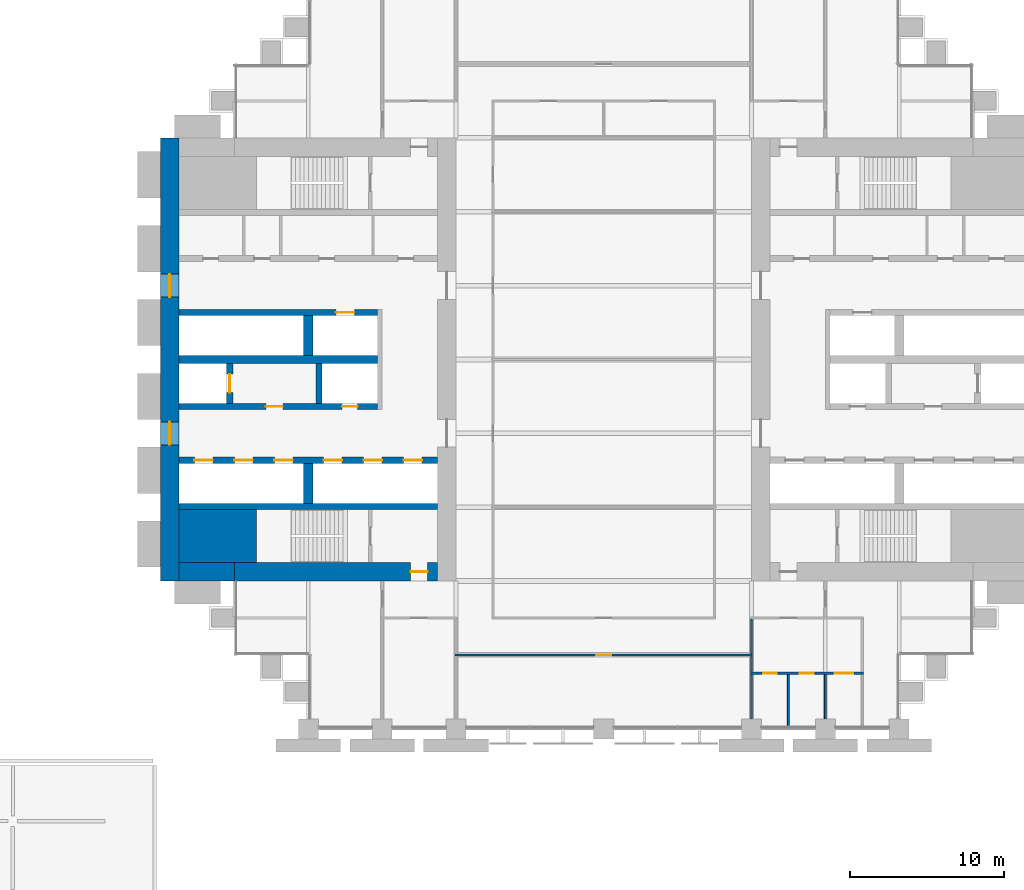
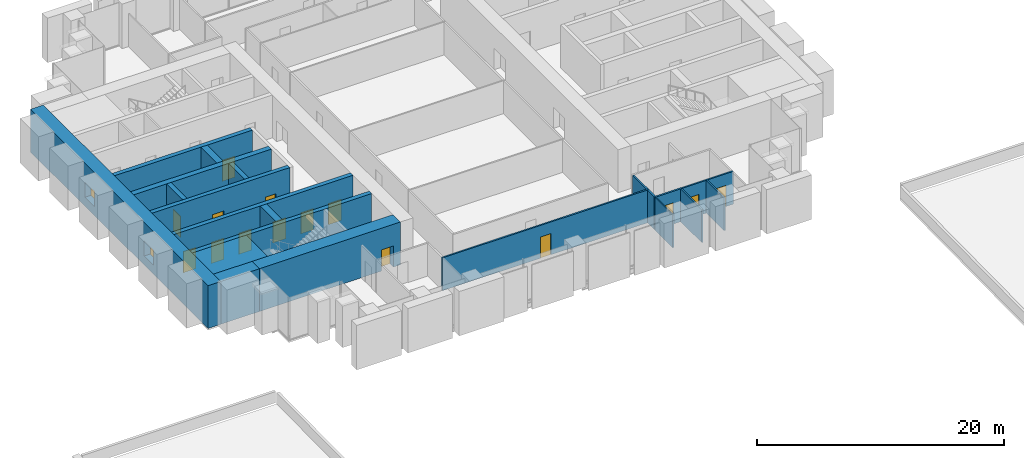
# One storey, part 9 of 14: 20 walls, 15 doors, 2 windows, 17 openings.
"""IFC4 building model written with IfcOpenShell, lengths in metres."""

from ifc_helpers import new_model, si_unit, direction, frame, frame_2d, origin, place, context, subcontext, project, spatial, rectangle, extrude, material, layer, layer_set, type_object, element, fill, save


model = new_model("IFC4")

# Units and contexts
model_context = context("Model", 3, precision=1e-05, world=origin(), true_north=direction((0.0, 1.0)))
body_context = subcontext(model_context, "Body", "Model", "MODEL_VIEW")
ifc_project = project(units=[si_unit("LENGTHUNIT", "METRE"), si_unit("AREAUNIT", "SQUARE_METRE"), si_unit("VOLUMEUNIT", "CUBIC_METRE"), si_unit("PLANEANGLEUNIT", "RADIAN"), si_unit("MASSUNIT", "GRAM", prefix="KILO")], contexts=[model_context])

# Site, building, storey
site_placement = place(None, origin())
site = spatial("IfcSite", under=ifc_project, at=site_placement, CompositionType="ELEMENT")
building_placement = place(site_placement, origin())
building = spatial("IfcBuilding", under=site, at=building_placement, Name="Baori Bourse Tower", CompositionType="ELEMENT")
storey_placement = place(building_placement, frame((0.0, 0.0, 30.199951171875)))
storey = spatial("IfcBuildingStorey", under=building, at=storey_placement, Name="L05", CompositionType="ELEMENT", Elevation=30.199951171875)

# Wall
ifc_material_1 = material(Name="Concrete f'c 70 MPa", Category="concrete")
wall_type_1 = type_object("IfcWallType", Name="Core corner block f'c 70", PredefinedType="SHEAR", material=ifc_material_1)
wall_1_placement = place(storey_placement, frame((1.199951171875, 12.52490234375, 0.0), z_axis=(0.0, 0.0, 1.0), x_axis=(1.0, 0.0, 0.0)))
element("IfcWall", 1, at=wall_1_placement, inside=storey, type_object=wall_type_1, Name="Core wall W05", PredefinedType="SHEAR", context=body_context, shape_type="SweptSolid", body=[
    extrude(rectangle(XDim=5.050048828125, YDim=3.449951171875, at=frame_2d((2.52490234375, 0.0))), origin(), (0.0, 0.0, 1.0), 4.239990234375),
])

# Wall, openings, windows
ifc_material_2 = material(Name="Concrete f'c 70 MPa", Category="concrete")
ifc_layer_1 = layer(ifc_material_2, 1.199951171875)
ifc_layer_set_1 = layer_set([ifc_layer_1], Name="Core wall 1200 f'c 70")
wall_type_2 = type_object("IfcWallType", Name="Core wall 1200 f'c 70", PredefinedType="SHEAR", material=ifc_layer_set_1)
wall_2_placement = place(storey_placement, frame((0.60009765625, 9.60009765625, 0.0), z_axis=(0.0, 0.0, 1.0), x_axis=(0.0, 1.0, 0.0)))
wall_2 = element("IfcWall", 2, at=wall_2_placement, inside=storey, type_object=wall_type_2, Name="Core wall W01", PredefinedType="SHEAR", context=body_context, shape_type="SweptSolid", body=[
    extrude(rectangle(XDim=28.7998046875, YDim=1.199951171875, at=frame_2d((14.39990234375, 0.0))), origin(), (0.0, 0.0, 1.0), 4.239990234375),
])
opening_1_placement = place(wall_2_placement, frame((8.85009765625, 0.0, 0.89990234375)))
opening_1 = element("IfcOpeningElement", 3, at=opening_1_placement, cuts=wall_2, Name="Opening L05-KW101", PredefinedType="OPENING", context=body_context, shape_type="SweptSolid", body=[
    extrude(rectangle(XDim=1.5, YDim=1.5, at=frame_2d((0.75, 0.75))), frame((0.0, 0.60986328125, 0.0), z_axis=(0.0, -1.0, 0.0), x_axis=(1.0, 0.0, 0.0)), (0.0, 0.0, 1.0), 1.219970703125),
])
opening_2_placement = place(wall_2_placement, frame((18.449951171875, 0.0, 0.89990234375)))
opening_2 = element("IfcOpeningElement", 4, at=opening_2_placement, cuts=wall_2, Name="Opening L05-KW102", PredefinedType="OPENING", context=body_context, shape_type="SweptSolid", body=[
    extrude(rectangle(XDim=1.5, YDim=1.5, at=frame_2d((0.75, 0.75))), frame((0.0, 0.60986328125, 0.0), z_axis=(0.0, -1.0, 0.0), x_axis=(1.0, 0.0, 0.0)), (0.0, 0.0, 1.0), 1.219970703125),
])
ifc_material_3 = material(Name="Pale anodised aluminium", Category="aluminium")
window_type = type_object("IfcWindowType", Name="Lobby window 1500 x 1500", PartitioningType="SINGLE_PANEL", PredefinedType="WINDOW", material=ifc_material_3)
window_1_placement = place(opening_1_placement, origin())
window_1 = element("IfcWindow", 5, at=window_1_placement, inside=storey, type_object=window_type, Name="Outer wall window W L05 1", OverallHeight=1.5, OverallWidth=1.5, PartitioningType="SINGLE_PANEL", PredefinedType="WINDOW", context=body_context, shape_type="SweptSolid", body=[
    extrude(rectangle(XDim=1.5, YDim=1.5, at=frame_2d((0.75, 0.75))), frame((0.0, 0.030029296875, 0.0), z_axis=(0.0, -1.0, 0.0), x_axis=(1.0, 0.0, 0.0)), (0.0, 0.0, 1.0), 0.06005859375),
])
fill(opening_1, window_1)
window_2_placement = place(opening_2_placement, origin())
window_2 = element("IfcWindow", 6, at=window_2_placement, inside=storey, type_object=window_type, Name="Outer wall window W L05 2", OverallHeight=1.5, OverallWidth=1.5, PartitioningType="SINGLE_PANEL", PredefinedType="WINDOW", context=body_context, shape_type="SweptSolid", body=[
    extrude(rectangle(XDim=1.5, YDim=1.5, at=frame_2d((0.75, 0.75))), frame((0.0, 0.030029296875, 0.0), z_axis=(0.0, -1.0, 0.0), x_axis=(1.0, 0.0, 0.0)), (0.0, 0.0, 1.0), 0.06005859375),
])
fill(opening_2, window_2)

# Wall
wall_3_placement = place(storey_placement, frame((4.800048828125, 10.199951171875, 0.0), z_axis=(0.0, 0.0, 1.0), x_axis=(-1.0, 0.0, 0.0)))
element("IfcWall", 7, at=wall_3_placement, inside=storey, type_object=wall_type_2, Name="Core wall W02", PredefinedType="SHEAR", context=body_context, shape_type="SweptSolid", body=[
    extrude(rectangle(XDim=3.60009765625, YDim=1.199951171875, at=frame_2d((1.800048828125, 0.0))), origin(), (0.0, 0.0, 1.0), 4.239990234375),
])

# Wall, opening, door
wall_4_placement = place(storey_placement, frame((18.0, 10.199951171875, 0.0), z_axis=(0.0, 0.0, 1.0), x_axis=(-1.0, 0.0, 0.0)))
wall_4 = element("IfcWall", 8, at=wall_4_placement, inside=storey, type_object=wall_type_2, Name="Core wall W03", PredefinedType="SHEAR", context=body_context, shape_type="SweptSolid", body=[
    extrude(rectangle(XDim=13.199951171875, YDim=1.199951171875, at=frame_2d((6.60009765625, 0.0))), origin(), (0.0, 0.0, 1.0), 4.239990234375),
])
opening_3_placement = place(wall_4_placement, frame((0.64990234375, 0.0, 0.0)))
opening_3 = element("IfcOpeningElement", 9, at=opening_3_placement, cuts=wall_4, Name="Opening L05-D102", PredefinedType="OPENING", context=body_context, shape_type="SweptSolid", body=[
    extrude(rectangle(XDim=1.10009765625, YDim=2.10009765625, at=frame_2d((0.550048828125, 1.050048828125))), frame((0.0, 0.60986328125, 0.0), z_axis=(0.0, -1.0, 0.0), x_axis=(1.0, 0.0, 0.0)), (0.0, 0.0, 1.0), 1.219970703125),
])
ifc_material_4 = material(Name="Painted steel door", Category="steel")
door_type_1 = type_object("IfcDoorType", Name="Stair door 1100", OperationType="SINGLE_SWING_LEFT", PredefinedType="DOOR", material=ifc_material_4)
door_1_placement = place(opening_3_placement, origin())
door_1 = element("IfcDoor", 10, at=door_1_placement, inside=storey, type_object=door_type_1, Name="Stair vestibule door A W L05", OperationType="SINGLE_SWING_LEFT", OverallHeight=2.10009765625, OverallWidth=1.10009765625, PredefinedType="DOOR", context=body_context, shape_type="SweptSolid", body=[
    extrude(rectangle(XDim=1.10009765625, YDim=2.10009765625, at=frame_2d((0.550048828125, 1.050048828125))), frame((0.0, 0.02490234375, 0.0), z_axis=(0.0, -1.0, 0.0), x_axis=(1.0, 0.0, 0.0)), (0.0, 0.0, 1.0), 0.050048828125),
])
fill(opening_3, door_1)

# Wall, openings, doors
ifc_material_5 = material(Name="Gypsum board partition")
ifc_layer_2 = layer(ifc_material_5, 0.14990234375)
ifc_layer_set_2 = layer_set([ifc_layer_2], Name="Corridor partition 150")
wall_type_3 = type_object("IfcWallType", Name="Corridor partition 150", PredefinedType="PARTITIONING", material=ifc_layer_set_2)
wall_5_placement = place(storey_placement, frame((38.324951171875, 3.60009765625, 0.0), z_axis=(0.0, 0.0, 1.0), x_axis=(1.0, 0.0, 0.0)))
wall_5 = element("IfcWall", 11, at=wall_5_placement, inside=storey, type_object=wall_type_3, Name="Partition", PredefinedType="PARTITIONING", context=body_context, shape_type="SweptSolid", body=[
    extrude(rectangle(XDim=7.35009765625, YDim=0.14990234375, at=frame_2d((3.675048828125, 0.0))), origin(), (0.0, 0.0, 1.0), 3.24951171875),
])
opening_4_placement = place(wall_5_placement, frame((0.824951171875, 0.0, 0.0)))
opening_4 = element("IfcOpeningElement", 12, at=opening_4_placement, cuts=wall_5, Name="Opening L05-D01", PredefinedType="OPENING", context=body_context, shape_type="SweptSolid", body=[
    extrude(rectangle(XDim=0.89990234375, YDim=2.10009765625, at=frame_2d((0.449951171875, 1.050048828125))), frame((0.0, 0.0849609375, 0.0), z_axis=(0.0, -1.0, 0.0), x_axis=(1.0, 0.0, 0.0)), (0.0, 0.0, 1.0), 0.169921875),
])
opening_5_placement = place(wall_5_placement, frame((3.22509765625, 0.0, 0.0)))
opening_5 = element("IfcOpeningElement", 13, at=opening_5_placement, cuts=wall_5, Name="Opening L05-D02", PredefinedType="OPENING", context=body_context, shape_type="SweptSolid", body=[
    extrude(rectangle(XDim=0.89990234375, YDim=2.10009765625, at=frame_2d((0.449951171875, 1.050048828125))), frame((0.0, 0.0849609375, 0.0), z_axis=(0.0, -1.0, 0.0), x_axis=(1.0, 0.0, 0.0)), (0.0, 0.0, 1.0), 0.169921875),
])
opening_6_placement = place(wall_5_placement, frame((5.47509765625, 0.0, 0.0)))
opening_6 = element("IfcOpeningElement", 14, at=opening_6_placement, cuts=wall_5, Name="Opening L05-D03", PredefinedType="OPENING", context=body_context, shape_type="SweptSolid", body=[
    extrude(rectangle(XDim=1.199951171875, YDim=2.10009765625, at=frame_2d((0.60009765625, 1.050048828125))), frame((0.0, 0.0849609375, 0.0), z_axis=(0.0, -1.0, 0.0), x_axis=(1.0, 0.0, 0.0)), (0.0, 0.0, 1.0), 0.169921875),
])
ifc_material_6 = material(Name="Timber door leaf", Category="wood")
door_type_2 = type_object("IfcDoorType", Name="Door 1200 x 2100", OperationType="SINGLE_SWING_LEFT", PredefinedType="DOOR", material=ifc_material_6)
door_2_placement = place(opening_6_placement, origin())
door_2 = element("IfcDoor", 15, at=door_2_placement, inside=storey, type_object=door_type_2, Name="Door", OperationType="SINGLE_SWING_RIGHT", OverallHeight=2.10009765625, OverallWidth=1.199951171875, PredefinedType="DOOR", context=body_context, shape_type="SweptSolid", body=[
    extrude(rectangle(XDim=1.199951171875, YDim=2.10009765625, at=frame_2d((0.60009765625, 1.050048828125))), frame((0.0, 0.02490234375, 0.0), z_axis=(0.0, -1.0, 0.0), x_axis=(1.0, 0.0, 0.0)), (0.0, 0.0, 1.0), 0.050048828125),
])
fill(opening_6, door_2)
ifc_material_7 = material(Name="Timber door leaf", Category="wood")
door_type_3 = type_object("IfcDoorType", Name="Door 900 x 2100", OperationType="SINGLE_SWING_LEFT", PredefinedType="DOOR", material=ifc_material_7)
door_3_placement = place(opening_4_placement, origin())
door_3 = element("IfcDoor", 16, at=door_3_placement, inside=storey, type_object=door_type_3, Name="Door", OperationType="SINGLE_SWING_LEFT", OverallHeight=2.10009765625, OverallWidth=0.89990234375, PredefinedType="DOOR", context=body_context, shape_type="SweptSolid", body=[
    extrude(rectangle(XDim=0.89990234375, YDim=2.10009765625, at=frame_2d((0.449951171875, 1.050048828125))), frame((0.0, 0.02490234375, 0.0), z_axis=(0.0, -1.0, 0.0), x_axis=(1.0, 0.0, 0.0)), (0.0, 0.0, 1.0), 0.050048828125),
])
fill(opening_4, door_3)
door_4_placement = place(opening_5_placement, origin())
door_4 = element("IfcDoor", 17, at=door_4_placement, inside=storey, type_object=door_type_3, Name="Door", OperationType="SINGLE_SWING_LEFT", OverallHeight=2.10009765625, OverallWidth=0.89990234375, PredefinedType="DOOR", context=body_context, shape_type="SweptSolid", body=[
    extrude(rectangle(XDim=0.89990234375, YDim=2.10009765625, at=frame_2d((0.449951171875, 1.050048828125))), frame((0.0, 0.02490234375, 0.0), z_axis=(0.0, -1.0, 0.0), x_axis=(1.0, 0.0, 0.0)), (0.0, 0.0, 1.0), 0.050048828125),
])
fill(opening_5, door_4)

# Wall, opening, door
wall_6_placement = place(storey_placement, frame((19.125, 4.800048828125, 0.0), z_axis=(0.0, 0.0, 1.0), x_axis=(1.0, 0.0, 0.0)))
wall_6 = element("IfcWall", 18, at=wall_6_placement, inside=storey, type_object=wall_type_3, Name="Partition", PredefinedType="PARTITIONING", context=body_context, shape_type="SweptSolid", body=[
    extrude(rectangle(XDim=19.35009765625, YDim=0.14990234375, at=frame_2d((9.675048828125, 0.0))), origin(), (0.0, 0.0, 1.0), 3.24951171875),
])
opening_7_placement = place(wall_6_placement, frame((9.175048828125, 0.0, 0.0)))
opening_7 = element("IfcOpeningElement", 19, at=opening_7_placement, cuts=wall_6, Name="Opening L05-D04", PredefinedType="OPENING", context=body_context, shape_type="SweptSolid", body=[
    extrude(rectangle(XDim=1.0, YDim=2.10009765625, at=frame_2d((0.5, 1.050048828125))), frame((0.0, 0.0849609375, 0.0), z_axis=(0.0, -1.0, 0.0), x_axis=(1.0, 0.0, 0.0)), (0.0, 0.0, 1.0), 0.169921875),
])
ifc_material_8 = material(Name="Timber door leaf", Category="wood")
door_type_4 = type_object("IfcDoorType", Name="Door 1000 x 2100", OperationType="SINGLE_SWING_LEFT", PredefinedType="DOOR", material=ifc_material_8)
door_5_placement = place(opening_7_placement, origin())
door_5 = element("IfcDoor", 20, at=door_5_placement, inside=storey, type_object=door_type_4, Name="Door", OperationType="SINGLE_SWING_LEFT", OverallHeight=2.10009765625, OverallWidth=1.0, PredefinedType="DOOR", context=body_context, shape_type="SweptSolid", body=[
    extrude(rectangle(XDim=1.0, YDim=2.10009765625, at=frame_2d((0.5, 1.050048828125))), frame((0.0, 0.02490234375, 0.0), z_axis=(0.0, -1.0, 0.0), x_axis=(1.0, 0.0, 0.0)), (0.0, 0.0, 1.0), 0.050048828125),
])
fill(opening_7, door_5)

# Walls
wall_7_placement = place(storey_placement, frame((38.39990234375, 3.675048828125, 0.0), z_axis=(0.0, 0.0, 1.0), x_axis=(0.0, 1.0, 0.0)))
element("IfcWall", 21, at=wall_7_placement, inside=storey, type_object=wall_type_3, Name="Partition", PredefinedType="PARTITIONING", context=body_context, shape_type="SweptSolid", body=[
    extrude(rectangle(XDim=1.050048828125, YDim=0.14990234375, at=frame_2d((0.52490234375, 0.0))), origin(), (0.0, 0.0, 1.0), 3.24951171875),
])
wall_8_placement = place(storey_placement, frame((38.39990234375, 4.875, 0.0), z_axis=(0.0, 0.0, 1.0), x_axis=(0.0, 1.0, 0.0)))
element("IfcWall", 22, at=wall_8_placement, inside=storey, type_object=wall_type_3, Name="Partition", PredefinedType="PARTITIONING", context=body_context, shape_type="SweptSolid", body=[
    extrude(rectangle(XDim=2.25, YDim=0.14990234375, at=frame_2d((1.125, 0.0))), origin(), (0.0, 0.0, 1.0), 3.24951171875),
])
ifc_material_9 = material(Name="Gypsum board partition")
ifc_layer_3 = layer(ifc_material_9, 0.125)
ifc_layer_set_3 = layer_set([ifc_layer_3], Name="Partition 125")
wall_type_4 = type_object("IfcWallType", Name="Partition 125", PredefinedType="PARTITIONING", material=ifc_layer_set_3)
wall_9_placement = place(storey_placement, frame((38.39990234375, 0.64990234375, 0.0), z_axis=(0.0, 0.0, 1.0), x_axis=(0.0, 1.0, 0.0)))
element("IfcWall", 23, at=wall_9_placement, inside=storey, type_object=wall_type_4, Name="Partition", PredefinedType="PARTITIONING", context=body_context, shape_type="SweptSolid", body=[
    extrude(rectangle(XDim=2.875, YDim=0.125, at=frame_2d((1.4375, 0.0))), origin(), (0.0, 0.0, 1.0), 3.24951171875),
])
wall_10_placement = place(storey_placement, frame((40.800048828125, 0.10009765625, 0.0), z_axis=(0.0, 0.0, 1.0), x_axis=(0.0, 1.0, 0.0)))
element("IfcWall", 24, at=wall_10_placement, inside=storey, type_object=wall_type_4, Name="Partition", PredefinedType="PARTITIONING", context=body_context, shape_type="SweptSolid", body=[
    extrude(rectangle(XDim=3.4248046875, YDim=0.125, at=frame_2d((1.71240234375, 0.0))), origin(), (0.0, 0.0, 1.0), 3.24951171875),
])
wall_11_placement = place(storey_placement, frame((43.199951171875, 0.64990234375, 0.0), z_axis=(0.0, 0.0, 1.0), x_axis=(0.0, 1.0, 0.0)))
element("IfcWall", 25, at=wall_11_placement, inside=storey, type_object=wall_type_4, Name="Partition", PredefinedType="PARTITIONING", context=body_context, shape_type="SweptSolid", body=[
    extrude(rectangle(XDim=2.875, YDim=0.125, at=frame_2d((1.4375, 0.0))), origin(), (0.0, 0.0, 1.0), 3.24951171875),
])
ifc_material_10 = material(Name="Concrete f'c 70 MPa", Category="concrete")
ifc_layer_4 = layer(ifc_material_10, 0.39990234375)
ifc_layer_set_4 = layer_set([ifc_layer_4], Name="Shaft wall 400 f'c 70")
wall_type_5 = type_object("IfcWallType", Name="Shaft wall 400 f'c 70", PredefinedType="SHEAR", material=ifc_layer_set_4)
wall_12_placement = place(storey_placement, frame((1.199951171875, 14.449951171875, 0.0), z_axis=(0.0, 0.0, 1.0), x_axis=(1.0, 0.0, 0.0)))
element("IfcWall", 26, at=wall_12_placement, inside=storey, type_object=wall_type_5, Name="Core wall W07", PredefinedType="SHEAR", context=body_context, shape_type="SweptSolid", body=[
    extrude(rectangle(XDim=16.800048828125, YDim=0.39990234375, at=frame_2d((8.39990234375, 0.0))), origin(), (0.0, 0.0, 1.0), 4.239990234375),
])

# Wall, openings, doors
wall_13_placement = place(storey_placement, frame((1.199951171875, 17.449951171875, 0.0), z_axis=(0.0, 0.0, 1.0), x_axis=(1.0, 0.0, 0.0)))
wall_13 = element("IfcWall", 27, at=wall_13_placement, inside=storey, type_object=wall_type_5, Name="Core wall W09", PredefinedType="SHEAR", context=body_context, shape_type="SweptSolid", body=[
    extrude(rectangle(XDim=16.800048828125, YDim=0.39990234375, at=frame_2d((8.39990234375, 0.0))), origin(), (0.0, 0.0, 1.0), 4.239990234375),
])
opening_8_placement = place(wall_13_placement, frame((1.0, 0.0, 0.0)))
opening_8 = element("IfcOpeningElement", 28, at=opening_8_placement, cuts=wall_13, Name="Opening L05-D113", PredefinedType="OPENING", context=body_context, shape_type="SweptSolid", body=[
    extrude(rectangle(XDim=1.199951171875, YDim=2.10009765625, at=frame_2d((0.60009765625, 1.050048828125))), frame((0.0, 0.2099609375, 0.0), z_axis=(0.0, -1.0, 0.0), x_axis=(1.0, 0.0, 0.0)), (0.0, 0.0, 1.0), 0.419921875),
])
opening_9_placement = place(wall_13_placement, frame((3.60009765625, 0.0, 0.0)))
opening_9 = element("IfcOpeningElement", 29, at=opening_9_placement, cuts=wall_13, Name="Opening L05-D114", PredefinedType="OPENING", context=body_context, shape_type="SweptSolid", body=[
    extrude(rectangle(XDim=1.199951171875, YDim=2.10009765625, at=frame_2d((0.60009765625, 1.050048828125))), frame((0.0, 0.2099609375, 0.0), z_axis=(0.0, -1.0, 0.0), x_axis=(1.0, 0.0, 0.0)), (0.0, 0.0, 1.0), 0.419921875),
])
opening_10_placement = place(wall_13_placement, frame((6.199951171875, 0.0, 0.0)))
opening_10 = element("IfcOpeningElement", 30, at=opening_10_placement, cuts=wall_13, Name="Opening L05-D115", PredefinedType="OPENING", context=body_context, shape_type="SweptSolid", body=[
    extrude(rectangle(XDim=1.199951171875, YDim=2.10009765625, at=frame_2d((0.60009765625, 1.050048828125))), frame((0.0, 0.2099609375, 0.0), z_axis=(0.0, -1.0, 0.0), x_axis=(1.0, 0.0, 0.0)), (0.0, 0.0, 1.0), 0.419921875),
])
opening_11_placement = place(wall_13_placement, frame((9.39990234375, 0.0, 0.0)))
opening_11 = element("IfcOpeningElement", 31, at=opening_11_placement, cuts=wall_13, Name="Opening L05-D116", PredefinedType="OPENING", context=body_context, shape_type="SweptSolid", body=[
    extrude(rectangle(XDim=1.199951171875, YDim=2.10009765625, at=frame_2d((0.60009765625, 1.050048828125))), frame((0.0, 0.2099609375, 0.0), z_axis=(0.0, -1.0, 0.0), x_axis=(1.0, 0.0, 0.0)), (0.0, 0.0, 1.0), 0.419921875),
])
opening_12_placement = place(wall_13_placement, frame((12.0, 0.0, 0.0)))
opening_12 = element("IfcOpeningElement", 32, at=opening_12_placement, cuts=wall_13, Name="Opening L05-D117", PredefinedType="OPENING", context=body_context, shape_type="SweptSolid", body=[
    extrude(rectangle(XDim=1.199951171875, YDim=2.10009765625, at=frame_2d((0.60009765625, 1.050048828125))), frame((0.0, 0.2099609375, 0.0), z_axis=(0.0, -1.0, 0.0), x_axis=(1.0, 0.0, 0.0)), (0.0, 0.0, 1.0), 0.419921875),
])
opening_13_placement = place(wall_13_placement, frame((14.60009765625, 0.0, 0.0)))
opening_13 = element("IfcOpeningElement", 33, at=opening_13_placement, cuts=wall_13, Name="Opening L05-D118", PredefinedType="OPENING", context=body_context, shape_type="SweptSolid", body=[
    extrude(rectangle(XDim=1.199951171875, YDim=2.10009765625, at=frame_2d((0.60009765625, 1.050048828125))), frame((0.0, 0.2099609375, 0.0), z_axis=(0.0, -1.0, 0.0), x_axis=(1.0, 0.0, 0.0)), (0.0, 0.0, 1.0), 0.419921875),
])
ifc_material_11 = material(Name="Stainless steel door", Category="steel")
door_type_5 = type_object("IfcDoorType", Name="Lift landing door", OperationType="DOUBLE_DOOR_SLIDING", PredefinedType="DOOR", material=ifc_material_11)
door_6_placement = place(opening_8_placement, origin())
door_6 = element("IfcDoor", 34, at=door_6_placement, inside=storey, type_object=door_type_5, Name="Lift landing door LR1 W L05", OperationType="DOUBLE_DOOR_SLIDING", OverallHeight=2.10009765625, OverallWidth=1.199951171875, PredefinedType="DOOR", context=body_context, shape_type="SweptSolid", body=[
    extrude(rectangle(XDim=1.199951171875, YDim=2.10009765625, at=frame_2d((0.60009765625, 1.050048828125))), frame((0.0, 0.02490234375, 0.0), z_axis=(0.0, -1.0, 0.0), x_axis=(1.0, 0.0, 0.0)), (0.0, 0.0, 1.0), 0.050048828125),
])
fill(opening_8, door_6)
door_7_placement = place(opening_9_placement, origin())
door_7 = element("IfcDoor", 35, at=door_7_placement, inside=storey, type_object=door_type_5, Name="Lift landing door LR2 W L05", OperationType="DOUBLE_DOOR_SLIDING", OverallHeight=2.10009765625, OverallWidth=1.199951171875, PredefinedType="DOOR", context=body_context, shape_type="SweptSolid", body=[
    extrude(rectangle(XDim=1.199951171875, YDim=2.10009765625, at=frame_2d((0.60009765625, 1.050048828125))), frame((0.0, 0.02490234375, 0.0), z_axis=(0.0, -1.0, 0.0), x_axis=(1.0, 0.0, 0.0)), (0.0, 0.0, 1.0), 0.050048828125),
])
fill(opening_9, door_7)
door_8_placement = place(opening_10_placement, origin())
door_8 = element("IfcDoor", 36, at=door_8_placement, inside=storey, type_object=door_type_5, Name="Lift landing door LR3 W L05", OperationType="DOUBLE_DOOR_SLIDING", OverallHeight=2.10009765625, OverallWidth=1.199951171875, PredefinedType="DOOR", context=body_context, shape_type="SweptSolid", body=[
    extrude(rectangle(XDim=1.199951171875, YDim=2.10009765625, at=frame_2d((0.60009765625, 1.050048828125))), frame((0.0, 0.02490234375, 0.0), z_axis=(0.0, -1.0, 0.0), x_axis=(1.0, 0.0, 0.0)), (0.0, 0.0, 1.0), 0.050048828125),
])
fill(opening_10, door_8)
door_9_placement = place(opening_11_placement, origin())
door_9 = element("IfcDoor", 37, at=door_9_placement, inside=storey, type_object=door_type_5, Name="Lift landing door LR4 W L05", OperationType="DOUBLE_DOOR_SLIDING", OverallHeight=2.10009765625, OverallWidth=1.199951171875, PredefinedType="DOOR", context=body_context, shape_type="SweptSolid", body=[
    extrude(rectangle(XDim=1.199951171875, YDim=2.10009765625, at=frame_2d((0.60009765625, 1.050048828125))), frame((0.0, 0.02490234375, 0.0), z_axis=(0.0, -1.0, 0.0), x_axis=(1.0, 0.0, 0.0)), (0.0, 0.0, 1.0), 0.050048828125),
])
fill(opening_11, door_9)
door_10_placement = place(opening_12_placement, origin())
door_10 = element("IfcDoor", 38, at=door_10_placement, inside=storey, type_object=door_type_5, Name="Lift landing door LR5 W L05", OperationType="DOUBLE_DOOR_SLIDING", OverallHeight=2.10009765625, OverallWidth=1.199951171875, PredefinedType="DOOR", context=body_context, shape_type="SweptSolid", body=[
    extrude(rectangle(XDim=1.199951171875, YDim=2.10009765625, at=frame_2d((0.60009765625, 1.050048828125))), frame((0.0, 0.02490234375, 0.0), z_axis=(0.0, -1.0, 0.0), x_axis=(1.0, 0.0, 0.0)), (0.0, 0.0, 1.0), 0.050048828125),
])
fill(opening_12, door_10)
door_11_placement = place(opening_13_placement, origin())
door_11 = element("IfcDoor", 39, at=door_11_placement, inside=storey, type_object=door_type_5, Name="Lift landing door LR6 W L05", OperationType="DOUBLE_DOOR_SLIDING", OverallHeight=2.10009765625, OverallWidth=1.199951171875, PredefinedType="DOOR", context=body_context, shape_type="SweptSolid", body=[
    extrude(rectangle(XDim=1.199951171875, YDim=2.10009765625, at=frame_2d((0.60009765625, 1.050048828125))), frame((0.0, 0.02490234375, 0.0), z_axis=(0.0, -1.0, 0.0), x_axis=(1.0, 0.0, 0.0)), (0.0, 0.0, 1.0), 0.050048828125),
])
fill(opening_13, door_11)

wall_14_placement = place(storey_placement, frame((1.199951171875, 20.949951171875, 0.0), z_axis=(0.0, 0.0, 1.0), x_axis=(1.0, 0.0, 0.0)))
wall_14 = element("IfcWall", 40, at=wall_14_placement, inside=storey, type_object=wall_type_5, Name="Core wall W10", PredefinedType="SHEAR", context=body_context, shape_type="SweptSolid", body=[
    extrude(rectangle(XDim=12.900146484375, YDim=0.39990234375, at=frame_2d((6.4501953125, 0.0))), origin(), (0.0, 0.0, 1.0), 4.239990234375),
])
opening_14_placement = place(wall_14_placement, frame((5.64990234375, 0.0, 0.0)))
opening_14 = element("IfcOpeningElement", 41, at=opening_14_placement, cuts=wall_14, Name="Opening L05-D105", PredefinedType="OPENING", context=body_context, shape_type="SweptSolid", body=[
    extrude(rectangle(XDim=1.10009765625, YDim=2.10009765625, at=frame_2d((0.550048828125, 1.050048828125))), frame((0.0, 0.2099609375, 0.0), z_axis=(0.0, -1.0, 0.0), x_axis=(1.0, 0.0, 0.0)), (0.0, 0.0, 1.0), 0.419921875),
])
opening_15_placement = place(wall_14_placement, frame((10.60009765625, 0.0, 0.0)))
opening_15 = element("IfcOpeningElement", 42, at=opening_15_placement, cuts=wall_14, Name="Opening L05-D106", PredefinedType="OPENING", context=body_context, shape_type="SweptSolid", body=[
    extrude(rectangle(XDim=1.0, YDim=2.10009765625, at=frame_2d((0.5, 1.050048828125))), frame((0.0, 0.2099609375, 0.0), z_axis=(0.0, -1.0, 0.0), x_axis=(1.0, 0.0, 0.0)), (0.0, 0.0, 1.0), 0.419921875),
])
ifc_material_12 = material(Name="Painted steel door", Category="steel")
door_type_6 = type_object("IfcDoorType", Name="Lobby door 1100", OperationType="SINGLE_SWING_LEFT", PredefinedType="DOOR", material=ifc_material_12)
door_12_placement = place(opening_14_placement, origin())
door_12 = element("IfcDoor", 43, at=door_12_placement, inside=storey, type_object=door_type_6, Name="Firefighting lobby door W L05", OperationType="SINGLE_SWING_LEFT", OverallHeight=2.10009765625, OverallWidth=1.10009765625, PredefinedType="DOOR", context=body_context, shape_type="SweptSolid", body=[
    extrude(rectangle(XDim=1.10009765625, YDim=2.10009765625, at=frame_2d((0.550048828125, 1.050048828125))), frame((0.0, 0.02490234375, 0.0), z_axis=(0.0, -1.0, 0.0), x_axis=(1.0, 0.0, 0.0)), (0.0, 0.0, 1.0), 0.050048828125),
])
fill(opening_14, door_12)
ifc_material_13 = material(Name="Painted steel door", Category="steel")
door_type_7 = type_object("IfcDoorType", Name="Shaft door 1000", OperationType="SINGLE_SWING_LEFT", PredefinedType="DOOR", material=ifc_material_13)
door_13_placement = place(opening_15_placement, origin())
door_13 = element("IfcDoor", 44, at=door_13_placement, inside=storey, type_object=door_type_7, Name="Riser room door W L05", OperationType="SINGLE_SWING_LEFT", OverallHeight=2.10009765625, OverallWidth=1.0, PredefinedType="DOOR", context=body_context, shape_type="SweptSolid", body=[
    extrude(rectangle(XDim=1.0, YDim=2.10009765625, at=frame_2d((0.5, 1.050048828125))), frame((0.0, 0.02490234375, 0.0), z_axis=(0.0, -1.0, 0.0), x_axis=(1.0, 0.0, 0.0)), (0.0, 0.0, 1.0), 0.050048828125),
])
fill(opening_15, door_13)

# Wall, opening, door
wall_15_placement = place(storey_placement, frame((4.5, 21.14990234375, 0.0), z_axis=(0.0, 0.0, 1.0), x_axis=(0.0, 1.0, 0.0)))
wall_15 = element("IfcWall", 45, at=wall_15_placement, inside=storey, type_object=wall_type_5, Name="Core wall W12", PredefinedType="SHEAR", context=body_context, shape_type="SweptSolid", body=[
    extrude(rectangle(XDim=2.60009765625, YDim=0.39990234375, at=frame_2d((1.300048828125, 0.0))), origin(), (0.0, 0.0, 1.0), 4.239990234375),
])
opening_16_placement = place(wall_15_placement, frame((0.699951171875, 0.0, 0.0)))
opening_16 = element("IfcOpeningElement", 46, at=opening_16_placement, cuts=wall_15, Name="Opening L05-D120", PredefinedType="OPENING", context=body_context, shape_type="SweptSolid", body=[
    extrude(rectangle(XDim=1.199951171875, YDim=2.10009765625, at=frame_2d((0.60009765625, 1.050048828125))), frame((0.0, 0.2099609375, 0.0), z_axis=(0.0, -1.0, 0.0), x_axis=(1.0, 0.0, 0.0)), (0.0, 0.0, 1.0), 0.419921875),
])
door_14_placement = place(opening_16_placement, origin())
door_14 = element("IfcDoor", 47, at=door_14_placement, inside=storey, type_object=door_type_5, Name="Lift landing door FF1 W L05", OperationType="DOUBLE_DOOR_SLIDING", OverallHeight=2.10009765625, OverallWidth=1.199951171875, PredefinedType="DOOR", context=body_context, shape_type="SweptSolid", body=[
    extrude(rectangle(XDim=1.199951171875, YDim=2.10009765625, at=frame_2d((0.60009765625, 1.050048828125))), frame((0.0, 0.02490234375, 0.0), z_axis=(0.0, -1.0, 0.0), x_axis=(1.0, 0.0, 0.0)), (0.0, 0.0, 1.0), 0.050048828125),
])
fill(opening_16, door_14)

# Wall
wall_16_placement = place(storey_placement, frame((10.300048828125, 21.14990234375, 0.0), z_axis=(0.0, 0.0, 1.0), x_axis=(0.0, 1.0, 0.0)))
element("IfcWall", 48, at=wall_16_placement, inside=storey, type_object=wall_type_5, Name="Core wall W13", PredefinedType="SHEAR", context=body_context, shape_type="SweptSolid", body=[
    extrude(rectangle(XDim=2.60009765625, YDim=0.39990234375, at=frame_2d((1.300048828125, 0.0))), origin(), (0.0, 0.0, 1.0), 4.239990234375),
])

# Wall, opening, door
wall_17_placement = place(storey_placement, frame((1.199951171875, 27.050048828125, 0.0), z_axis=(0.0, 0.0, 1.0), x_axis=(1.0, 0.0, 0.0)))
wall_17 = element("IfcWall", 49, at=wall_17_placement, inside=storey, type_object=wall_type_5, Name="Core wall W16", PredefinedType="SHEAR", context=body_context, shape_type="SweptSolid", body=[
    extrude(rectangle(XDim=12.900146484375, YDim=0.39990234375, at=frame_2d((6.4501953125, 0.0))), origin(), (0.0, 0.0, 1.0), 4.239990234375),
])
opening_17_placement = place(wall_17_placement, frame((10.199951171875, 0.0, 0.0)))
opening_17 = element("IfcOpeningElement", 50, at=opening_17_placement, cuts=wall_17, Name="Opening L05-D119", PredefinedType="OPENING", context=body_context, shape_type="SweptSolid", body=[
    extrude(rectangle(XDim=1.199951171875, YDim=2.10009765625, at=frame_2d((0.60009765625, 1.050048828125))), frame((0.0, 0.2099609375, 0.0), z_axis=(0.0, -1.0, 0.0), x_axis=(1.0, 0.0, 0.0)), (0.0, 0.0, 1.0), 0.419921875),
])
door_15_placement = place(opening_17_placement, origin())
door_15 = element("IfcDoor", 51, at=door_15_placement, inside=storey, type_object=door_type_5, Name="Lift landing door SV1 W L05", OperationType="DOUBLE_DOOR_SLIDING", OverallHeight=2.10009765625, OverallWidth=1.199951171875, PredefinedType="DOOR", context=body_context, shape_type="SweptSolid", body=[
    extrude(rectangle(XDim=1.199951171875, YDim=2.10009765625, at=frame_2d((0.60009765625, 1.050048828125))), frame((0.0, 0.02490234375, 0.0), z_axis=(0.0, -1.0, 0.0), x_axis=(1.0, 0.0, 0.0)), (0.0, 0.0, 1.0), 0.050048828125),
])
fill(opening_17, door_15)

# Walls
ifc_material_14 = material(Name="Concrete f'c 70 MPa", Category="concrete")
ifc_layer_5 = layer(ifc_material_14, 0.5)
ifc_layer_set_5 = layer_set([ifc_layer_5], Name="Shaft wall 500 f'c 70")
wall_type_6 = type_object("IfcWallType", Name="Shaft wall 500 f'c 70", PredefinedType="SHEAR", material=ifc_layer_set_5)
wall_18_placement = place(storey_placement, frame((1.199951171875, 24.0, 0.0), z_axis=(0.0, 0.0, 1.0), x_axis=(1.0, 0.0, 0.0)))
element("IfcWall", 52, at=wall_18_placement, inside=storey, type_object=wall_type_6, Name="Core wall W14", PredefinedType="SHEAR", context=body_context, shape_type="SweptSolid", body=[
    extrude(rectangle(XDim=12.900146484375, YDim=0.5, at=frame_2d((6.4501953125, 0.0))), origin(), (0.0, 0.0, 1.0), 4.239990234375),
])
ifc_material_15 = material(Name="Concrete f'c 70 MPa", Category="concrete")
ifc_layer_6 = layer(ifc_material_15, 0.60009765625)
ifc_layer_set_6 = layer_set([ifc_layer_6], Name="Shaft wall 600 f'c 70")
wall_type_7 = type_object("IfcWallType", Name="Shaft wall 600 f'c 70", PredefinedType="SHEAR", material=ifc_layer_set_6)
for number, where, z_axis, x_axis, name in (
    (53, (9.60009765625, 14.64990234375, 0.0), (0.0, 0.0, 1.0), (0.0, 1.0, 0.0), "Core wall W08"),
    (54, (9.60009765625, 24.25, 0.0), (0.0, 0.0, 1.0), (0.0, 1.0, 0.0), "Core wall W15"),
):
    element("IfcWall", number, at=place(storey_placement, frame(where, z_axis=z_axis, x_axis=x_axis)), inside=storey, type_object=wall_type_7, Name=name, PredefinedType="SHEAR", context=body_context, shape_type="SweptSolid", body=[
        extrude(rectangle(XDim=2.60009765625, YDim=0.60009765625, at=frame_2d((1.300048828125, 0.0))), origin(), (0.0, 0.0, 1.0), 4.239990234375),
    ])

save(model, "model.ifc")
